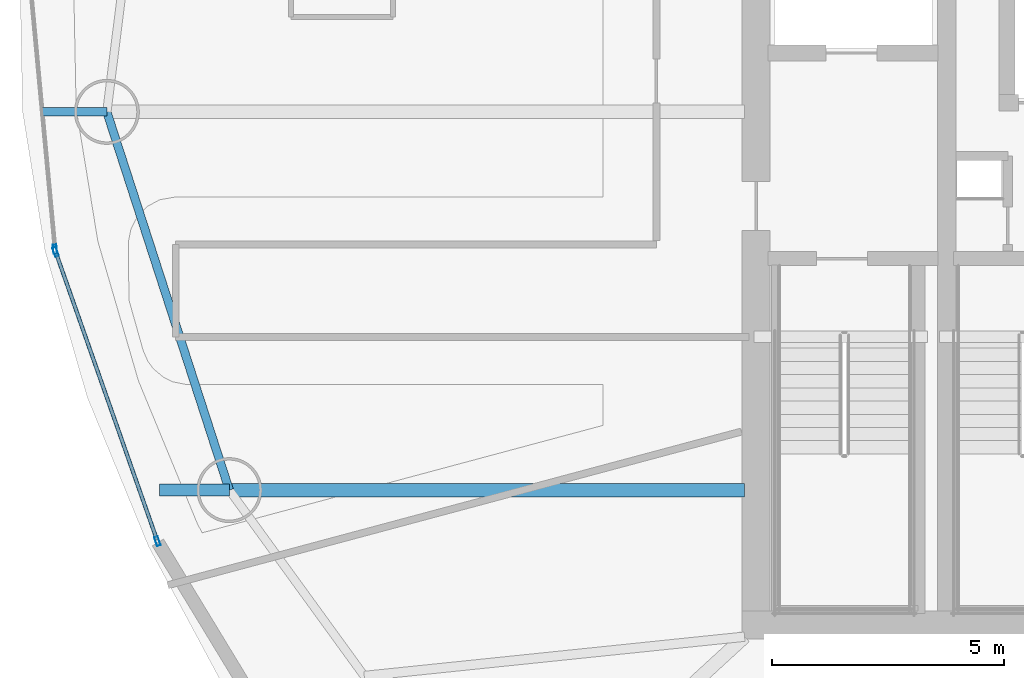
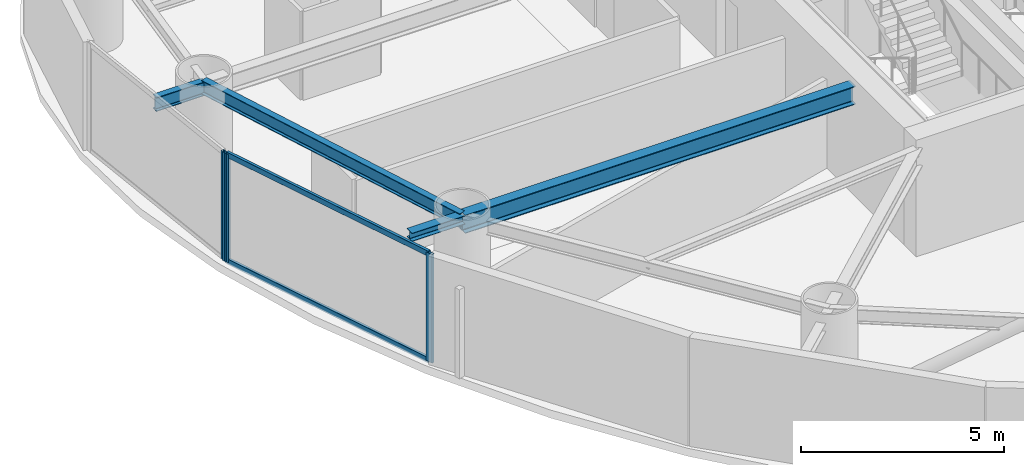
# One storey, part 4 of 20: 5 members, 4 beams, 2 elements without a shape of their own.
"""IFC4 building model written with IfcOpenShell, lengths in metres."""

from ifc_helpers import new_model, si_unit, direction, frame, origin, origin_2d, place, context, subcontext, project, spatial, hollow_rectangle, i_section, extrude, material, layer, layer_set, material_profile, profile_set, type_object, element, aggregate, save


model = new_model("IFC4")

# Units and contexts
model_context = context("Model", 3, precision=1e-05, world=origin(), true_north=direction((0.0, 1.0)))
body_context = subcontext(model_context, "Body", "Model", "MODEL_VIEW")
ifc_project = project(units=[si_unit("LENGTHUNIT", "METRE"), si_unit("AREAUNIT", "SQUARE_METRE"), si_unit("VOLUMEUNIT", "CUBIC_METRE"), si_unit("PLANEANGLEUNIT", "RADIAN"), si_unit("MASSUNIT", "GRAM", prefix="KILO")], contexts=[model_context])

# Site, building, storey
site_placement = place(None, origin())
site = spatial("IfcSite", under=ifc_project, at=site_placement, CompositionType="ELEMENT")
building_placement = place(site_placement, origin())
building = spatial("IfcBuilding", under=site, at=building_placement, Name="Bramvorn Convention Spire", CompositionType="ELEMENT")
storey_placement = place(building_placement, frame((0.0, 0.0, 130.800048828125)))
storey = spatial("IfcBuildingStorey", under=building, at=storey_placement, Name="L32", CompositionType="ELEMENT", Elevation=130.800048828125)

# Beams
ifc_material_1 = material(Name="Steel CSA G40.21 Grade 350 (350W)", Category="steel")
ifc_material_profile_1 = material_profile(ifc_material_1, i_section(OverallWidth=0.25390625, OverallDepth=0.2529296875, WebThickness=0.008544921875, FlangeThickness=0.01416015625, FilletRadius=0.011962890625, at=origin_2d()))
ifc_profile_set_1 = profile_set([ifc_material_profile_1], Name="Steel CSA G40.21 Grade 350 (350W) - W250X73")
beam_type_1 = type_object("IfcBeamType", Name="BM-W250X73", PredefinedType="BEAM", material=ifc_profile_set_1)
beam_1_placement = place(storey_placement, frame((15.654296875, 21.706787109375, 3.1083984375), z_axis=(-1.0, 0.0, 0.0), x_axis=(0.0, -1.0, 0.0)))
element("IfcBeam", 1, at=beam_1_placement, inside=storey, type_object=beam_type_1, Name="L32 slab-edge cantilever tip beam MC11", PredefinedType="BEAM", context=body_context, shape_type="SweptSolid", body=[
    extrude(i_section(OverallWidth=0.25390625, OverallDepth=0.2529296875, WebThickness=0.008544921875, FlangeThickness=0.01416015625, FilletRadius=0.011962890625, at=origin_2d()), origin(), (0.0, 0.0, 1.0), 1.502197265625),
])
ifc_material_profile_2 = material_profile(ifc_material_1, i_section(OverallWidth=0.180908203125, OverallDepth=0.4169921875, WebThickness=0.010986328125, FlangeThickness=0.018310546875, FilletRadius=0.01611328125, at=origin_2d()))
ifc_profile_set_2 = profile_set([ifc_material_profile_2], Name="Steel CSA G40.21 Grade 350 (350W) - W410X85")
beam_type_2 = type_object("IfcBeamType", Name="BM-W410X85", PredefinedType="JOIST", material=ifc_profile_set_2)
beam_2_placement = place(storey_placement, frame((13.016357421875, 29.851806640625, 3.0263671875), z_axis=(-1.0, 0.0, 0.0), x_axis=(0.0, -1.0, 0.0)))
element("IfcBeam", 2, at=beam_2_placement, inside=storey, type_object=beam_type_2, Name="L32 Sky-Garden cantilever tip girder MC10", PredefinedType="JOIST", context=body_context, shape_type="SweptSolid", body=[
    extrude(i_section(OverallWidth=0.180908203125, OverallDepth=0.4169921875, WebThickness=0.010986328125, FlangeThickness=0.018310546875, FilletRadius=0.01611328125, at=origin_2d()), origin(), (0.0, 0.0, 1.0), 1.402587890625),
])
beam_3_placement = place(storey_placement, frame((13.016357421875, 29.851806640625, 3.051513671875), z_axis=(0.308114853612, -0.951349166701, 0.0), x_axis=(0.951349166701, 0.308114853612, 0.0)))
element("IfcBeam", 3, at=beam_3_placement, inside=storey, type_object=beam_type_2, Name="L32 mega-column ring beam 10", PredefinedType="JOIST", context=body_context, shape_type="SweptSolid", body=[
    extrude(i_section(OverallWidth=0.180908203125, OverallDepth=0.4169921875, WebThickness=0.010986328125, FlangeThickness=0.018310546875, FilletRadius=0.01611328125, at=origin_2d()), origin(), (0.0, 0.0, 1.0), 8.5615234375),
])
ifc_material_profile_3 = material_profile(ifc_material_1, i_section(OverallWidth=0.2919921875, OverallDepth=0.551025390625, WebThickness=0.01513671875, FlangeThickness=0.0244140625, FilletRadius=0.01904296875, at=origin_2d()))
ifc_profile_set_3 = profile_set([ifc_material_profile_3], Name="Steel CSA G40.21 Grade 350 (350W) - W530X182")
beam_type_3 = type_object("IfcBeamType", Name="BM-W530X182", PredefinedType="BEAM", material=ifc_profile_set_3)
beam_4_placement = place(storey_placement, frame((26.75, 21.706787109375, 2.984375), z_axis=(-1.0, 0.0, 0.0), x_axis=(0.0, -1.0, 0.0)))
element("IfcBeam", 4, at=beam_4_placement, inside=storey, type_object=beam_type_3, Name="L32 radial floor girder MC11", PredefinedType="BEAM", context=body_context, shape_type="SweptSolid", body=[
    extrude(i_section(OverallWidth=0.2919921875, OverallDepth=0.551025390625, WebThickness=0.01513671875, FlangeThickness=0.0244140625, FilletRadius=0.01904296875, at=origin_2d()), origin(), (0.0, 0.0, 1.0), 11.095703125),
])

# Curtain wall, member
ifc_material_2 = material(Name="Anodised Bronze Unitised Curtain Wall", Category="aluminium")
ifc_layer = layer(ifc_material_2, 0.179931640625)
ifc_layer_set = layer_set([ifc_layer], Name="Anodised Bronze Unitised Curtain Wall - CW-HTL-FRIT")
curtain_wall_type = type_object("IfcCurtainWallType", Name="CW-HTL-FRIT", PredefinedType="USERDEFINED", material=ifc_layer_set)
curtain_wall_1_placement = place(storey_placement, origin())
curtain_wall_1 = element("IfcCurtainWall", 5, at=curtain_wall_1_placement, inside=storey, type_object=curtain_wall_type, Name="L32 fritted glass curtain wall 14", ObjectType="UNITISED CURTAIN WALL", PredefinedType="USERDEFINED")
ifc_material_3 = material(Name="Anodised Bronze Aluminium 6063-T6", Category="aluminium")
ifc_material_profile_4 = material_profile(ifc_material_3, hollow_rectangle(XDim=0.080078125, YDim=0.199951171875, WallThickness=0.00390625, InnerFilletRadius=0.0009765625, OuterFilletRadius=0.00390625, at=origin_2d()))
ifc_profile_set_4 = profile_set([ifc_material_profile_4], Name="Anodised Bronze Aluminium 6063-T6 - CWM80X200")
member_type_1 = type_object("IfcMemberType", Name="CW-MUL-180", PredefinedType="MULLION", material=ifc_profile_set_4)
member_1_placement = place(storey_placement, frame((11.900634765625, 26.8955078125, 0.0), z_axis=(0.0, 0.0, 1.0), x_axis=(-0.995656641767, -0.09310129809, 0.0)))
member_1 = element("IfcMember", 6, at=member_1_placement, type_object=member_type_1, Name="CW2 mullion 1", PredefinedType="MULLION", context=body_context, shape_type="SweptSolid", body=[
    extrude(hollow_rectangle(XDim=0.080078125, YDim=0.199951171875, WallThickness=0.00390625, InnerFilletRadius=0.0009765625, OuterFilletRadius=0.00390625, at=origin_2d()), origin(), (0.0, 0.0, 1.0), 3.260009765625),
])
aggregate(curtain_wall_1, [member_1])

# Curtain wall, members
curtain_wall_2_placement = place(storey_placement, origin())
curtain_wall_2 = element("IfcCurtainWall", 7, at=curtain_wall_2_placement, inside=storey, type_object=curtain_wall_type, Name="L32 fritted glass curtain wall 15", ObjectType="UNITISED CURTAIN WALL", PredefinedType="USERDEFINED")
member_2_placement = place(storey_placement, frame((14.10595703125, 20.606689453125, 0.0), z_axis=(0.0, 0.0, 1.0), x_axis=(-0.94329655763, -0.331951207806, 0.0)))
member_2 = element("IfcMember", 8, at=member_2_placement, type_object=member_type_1, Name="CW2 mullion 1", PredefinedType="MULLION", context=body_context, shape_type="SweptSolid", body=[
    extrude(hollow_rectangle(XDim=0.080078125, YDim=0.199951171875, WallThickness=0.00390625, InnerFilletRadius=0.0009765625, OuterFilletRadius=0.00390625, at=origin_2d()), origin(), (0.0, 0.0, 1.0), 3.260009765625),
])
member_3_placement = place(storey_placement, frame((11.91357421875, 26.83740234375, 0.0), z_axis=(0.0, 0.0, 1.0), x_axis=(-0.94329655763, -0.331951207806, 0.0)))
member_3 = element("IfcMember", 9, at=member_3_placement, type_object=member_type_1, Name="CW2 mullion 2", PredefinedType="MULLION", context=body_context, shape_type="SweptSolid", body=[
    extrude(hollow_rectangle(XDim=0.080078125, YDim=0.199951171875, WallThickness=0.00390625, InnerFilletRadius=0.0009765625, OuterFilletRadius=0.00390625, at=origin_2d()), origin(), (0.0, 0.0, 1.0), 3.260009765625),
])
ifc_material_profile_5 = material_profile(ifc_material_3, hollow_rectangle(XDim=0.080078125, YDim=0.159912109375, WallThickness=0.00390625, InnerFilletRadius=0.0009765625, OuterFilletRadius=0.00390625, at=origin_2d()))
ifc_profile_set_5 = profile_set([ifc_material_profile_5], Name="Anodised Bronze Aluminium 6063-T6 - CWT80X160")
member_type_2 = type_object("IfcMemberType", Name="CW-TRN-150", PredefinedType="USERDEFINED", material=ifc_profile_set_5)
member_4_placement = place(storey_placement, frame((14.09619140625, 20.635009765625, 0.030029296875), z_axis=(-0.331973207983, 0.943288815359, 0.0), x_axis=(-0.943288815359, -0.331973207983, 0.0)))
member_4 = element("IfcMember", 10, at=member_4_placement, type_object=member_type_2, Name="CW2 transom 1.1", ObjectType="TRANSOM", PredefinedType="USERDEFINED", context=body_context, shape_type="SweptSolid", body=[
    extrude(hollow_rectangle(XDim=0.080078125, YDim=0.159912109375, WallThickness=0.00390625, InnerFilletRadius=0.0009765625, OuterFilletRadius=0.00390625, at=origin_2d()), origin(), (0.0, 0.0, 1.0), 6.545166015625),
])
member_5_placement = place(storey_placement, frame((14.09619140625, 20.635009765625, 3.22998046875), z_axis=(-0.331973207983, 0.943288815359, 0.0), x_axis=(-0.943288815359, -0.331973207983, 0.0)))
member_5 = element("IfcMember", 11, at=member_5_placement, type_object=member_type_2, Name="CW2 transom 1.2", ObjectType="TRANSOM", PredefinedType="USERDEFINED", context=body_context, shape_type="SweptSolid", body=[
    extrude(hollow_rectangle(XDim=0.080078125, YDim=0.159912109375, WallThickness=0.00390625, InnerFilletRadius=0.0009765625, OuterFilletRadius=0.00390625, at=origin_2d()), origin(), (0.0, 0.0, 1.0), 6.545166015625),
])
aggregate(curtain_wall_2, [member_2, member_3, member_4, member_5])

save(model, "model.ifc")
